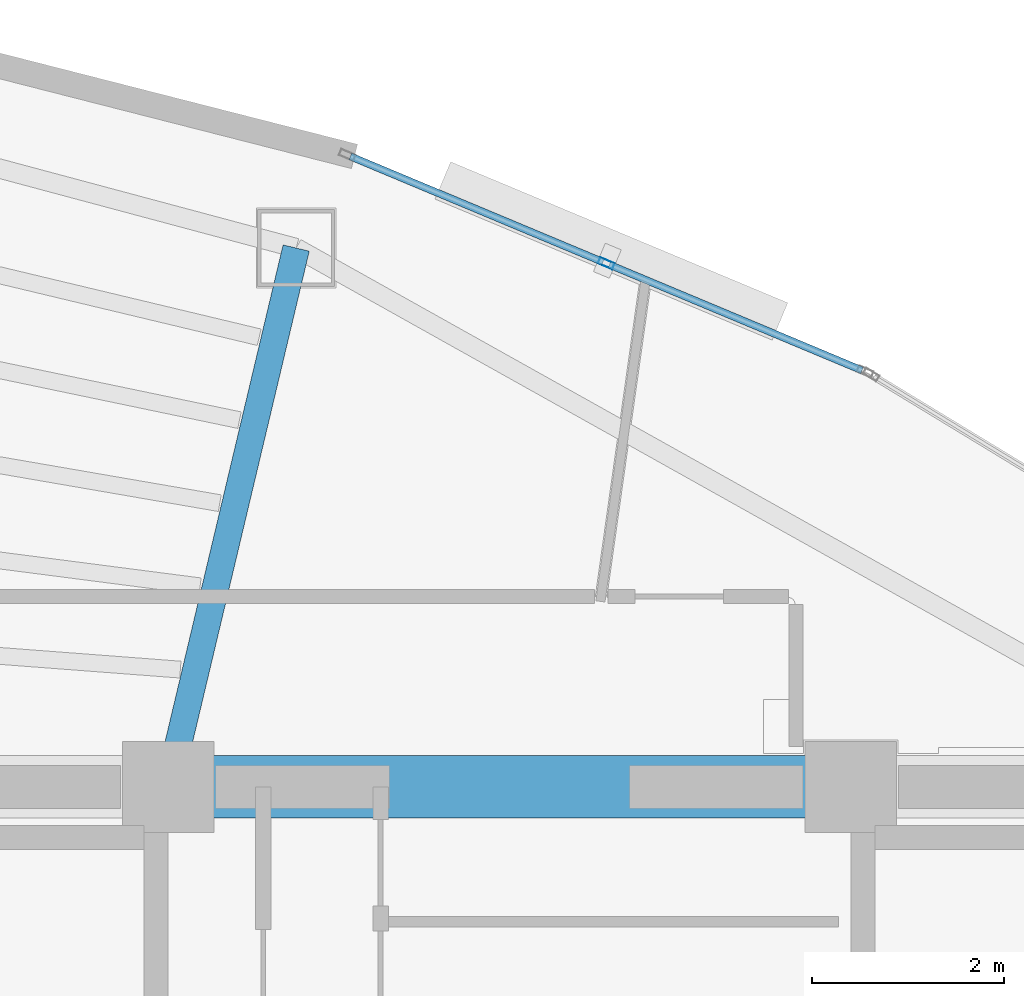
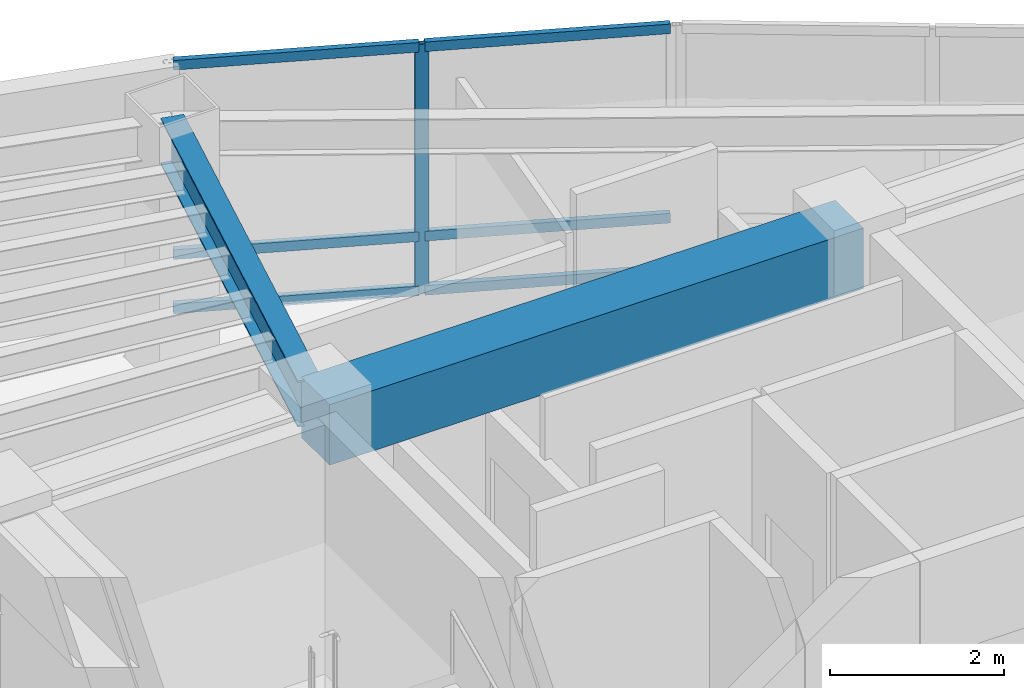
# One storey, part 8 of 16: 7 members, 2 beams, 1 element without a shape of its own.
"""IFC4 building model written with IfcOpenShell, lengths in metres."""

from ifc_helpers import new_model, si_unit, direction, frame, origin, origin_2d, place, context, subcontext, project, spatial, rectangle, hollow_rectangle, i_section, extrude, material, layer, layer_set, material_profile, profile_set, type_object, element, aggregate, save


model = new_model("IFC4")

# Units and contexts
model_context = context("Model", 3, precision=1e-05, world=origin(), true_north=direction((0.0, 1.0)))
body_context = subcontext(model_context, "Body", "Model", "MODEL_VIEW")
ifc_project = project(units=[si_unit("LENGTHUNIT", "METRE"), si_unit("AREAUNIT", "SQUARE_METRE"), si_unit("VOLUMEUNIT", "CUBIC_METRE"), si_unit("PLANEANGLEUNIT", "RADIAN"), si_unit("MASSUNIT", "GRAM", prefix="KILO")], contexts=[model_context])

# Site, building, storey
site_placement = place(None, origin())
site = spatial("IfcSite", under=ifc_project, at=site_placement, CompositionType="ELEMENT")
building_placement = place(site_placement, origin())
building = spatial("IfcBuilding", under=site, at=building_placement, Name="Menara Vayukalpa", CompositionType="ELEMENT")
storey_placement = place(building_placement, frame((0.0, 0.0, 280.6201171875)))
storey = spatial("IfcBuildingStorey", under=building, at=storey_placement, Name="L71", CompositionType="ELEMENT", Elevation=280.6201171875)

# Beams
ifc_material_1 = material(Name="Concrete C60/75", Category="concrete")
ifc_material_profile_1 = material_profile(ifc_material_1, rectangle(XDim=0.64990234375, YDim=0.85009765625, at=origin_2d()), Name="RC 650x850")
ifc_profile_set_1 = profile_set([ifc_material_profile_1], Name="Concrete C60/75")
beam_type_1 = type_object("IfcBeamType", Name="BM-CB1", PredefinedType="BEAM", material=ifc_profile_set_1)
beam_1_placement = place(storey_placement, frame((22.050048828125, 26.800048828125, 3.074951171875), z_axis=(1.0, 0.0, 0.0), x_axis=(0.0, 1.0, 0.0)))
element("IfcBeam", 1, at=beam_1_placement, inside=storey, type_object=beam_type_1, Name="L71 Core Tie Beam CBR5", PredefinedType="BEAM", context=body_context, shape_type="SweptSolid", body=[
    extrude(rectangle(XDim=0.64990234375, YDim=0.85009765625, at=origin_2d()), origin(), (0.0, 0.0, 1.0), 7.099853515625),
])
ifc_material_2 = material(Name="Steel S355", Category="steel")
ifc_material_profile_2 = material_profile(ifc_material_2, i_section(OverallWidth=0.280029296875, OverallDepth=0.64990234375, WebThickness=0.012939453125, FlangeThickness=0.02197265625, at=origin_2d()), Name="WF 650x280x13x22")
ifc_profile_set_2 = profile_set([ifc_material_profile_2], Name="Steel S355")
beam_type_2 = type_object("IfcBeamType", Name="BM-PG6", PredefinedType="BEAM", material=ifc_profile_set_2)
beam_2_placement = place(storey_placement, frame((22.10791015625, 27.043212890625, 3.1748046875), z_axis=(0.231167310854, 0.972914011818, 0.0), x_axis=(-0.972914011818, 0.231167310854, 0.0)))
element("IfcBeam", 2, at=beam_2_placement, inside=storey, type_object=beam_type_2, Name="L71 Primary Radial Girder RG03", PredefinedType="BEAM", context=body_context, shape_type="SweptSolid", body=[
    extrude(i_section(OverallWidth=0.280029296875, OverallDepth=0.64990234375, WebThickness=0.012939453125, FlangeThickness=0.02197265625, at=origin_2d()), origin(), (0.0, 0.0, 1.0), 5.5107421875),
])

# Curtain wall, members
ifc_material_3 = material(Name="Anodised Terracotta Aluminium Alloy 6063-T6", Category="masonry")
ifc_layer = layer(ifc_material_3, 0.1650390625)
ifc_layer_set = layer_set([ifc_layer], Name="Anodised Terracotta Aluminium Alloy 6063-T6")
curtain_wall_type = type_object("IfcCurtainWallType", Name="CW-CW6", PredefinedType="USERDEFINED", material=ifc_layer_set)
curtain_wall_placement = place(storey_placement, origin())
curtain_wall = element("IfcCurtainWall", 3, at=curtain_wall_placement, inside=storey, type_object=curtain_wall_type, Name="L71 Observation and Executive Curtain Wall CW6 05", ObjectType="UNITISED", PredefinedType="USERDEFINED")
ifc_material_4 = material(Name="Anodised Terracotta Aluminium Alloy 6063-T6", Category="masonry")
ifc_material_profile_3 = material_profile(ifc_material_4, hollow_rectangle(XDim=0.070068359375, YDim=0.1650390625, WallThickness=0.00390625, at=origin_2d()), Name="ALU 70x165x4")
ifc_profile_set_3 = profile_set([ifc_material_profile_3], Name="Anodised Terracotta Aluminium Alloy 6063-T6")
member_type_1 = type_object("IfcMemberType", Name="CWM-CW6", PredefinedType="MULLION", material=ifc_profile_set_3)
member_1_placement = place(storey_placement, frame((26.60595703125, 32.2451171875, 0.0), z_axis=(0.0, 0.0, 1.0), x_axis=(-0.385899911703, -0.922540653927, 0.0)))
member_1 = element("IfcMember", 4, at=member_1_placement, type_object=member_type_1, Name="CW6 mullion 2", PredefinedType="MULLION", context=body_context, shape_type="SweptSolid", body=[
    extrude(hollow_rectangle(XDim=0.070068359375, YDim=0.1650390625, WallThickness=0.00390625, at=origin_2d()), origin(), (0.0, 0.0, 1.0), 3.5),
])
ifc_material_5 = material(Name="Anodised Terracotta Aluminium Alloy 6063-T6", Category="masonry")
ifc_material_profile_4 = material_profile(ifc_material_5, hollow_rectangle(XDim=0.074951171875, YDim=0.135009765625, WallThickness=0.00390625, at=origin_2d()), Name="ALU 75x135x4")
ifc_profile_set_4 = profile_set([ifc_material_profile_4], Name="Anodised Terracotta Aluminium Alloy 6063-T6")
member_type_2 = type_object("IfcMemberType", Name="CWT-CW6", PredefinedType="USERDEFINED", material=ifc_profile_set_4)
member_2_placement = place(storey_placement, frame((29.266357421875, 31.13232421875, 0.037353515625), z_axis=(-0.922528286758, 0.385929475592, 0.0), x_axis=(-0.385929475592, -0.922528286758, 0.0)))
member_2 = element("IfcMember", 5, at=member_2_placement, type_object=member_type_2, Name="CW6 transom 1.1", ObjectType="TRANSOM", PredefinedType="USERDEFINED", context=body_context, shape_type="SweptSolid", body=[
    extrude(hollow_rectangle(XDim=0.074951171875, YDim=0.135009765625, WallThickness=0.00390625, at=origin_2d()), origin(), (0.0, 0.0, 1.0), 2.8486328125),
])
member_3_placement = place(storey_placement, frame((29.266357421875, 31.13232421875, 0.7998046875), z_axis=(-0.922528286758, 0.385929475592, 0.0), x_axis=(-0.385929475592, -0.922528286758, 0.0)))
member_3 = element("IfcMember", 6, at=member_3_placement, type_object=member_type_2, Name="CW6 transom 1.2", ObjectType="TRANSOM", PredefinedType="USERDEFINED", context=body_context, shape_type="SweptSolid", body=[
    extrude(hollow_rectangle(XDim=0.074951171875, YDim=0.135009765625, WallThickness=0.00390625, at=origin_2d()), origin(), (0.0, 0.0, 1.0), 2.8486328125),
])
member_4_placement = place(storey_placement, frame((29.266357421875, 31.13232421875, 3.46240234375), z_axis=(-0.922528286758, 0.385929475592, 0.0), x_axis=(-0.385929475592, -0.922528286758, 0.0)))
member_4 = element("IfcMember", 7, at=member_4_placement, type_object=member_type_2, Name="CW6 transom 1.3", ObjectType="TRANSOM", PredefinedType="USERDEFINED", context=body_context, shape_type="SweptSolid", body=[
    extrude(hollow_rectangle(XDim=0.074951171875, YDim=0.135009765625, WallThickness=0.00390625, at=origin_2d()), origin(), (0.0, 0.0, 1.0), 2.8486328125),
])
member_5_placement = place(storey_placement, frame((26.57373046875, 32.258544921875, 0.037353515625), z_axis=(-0.922541050276, 0.38589896418, 0.0), x_axis=(-0.38589896418, -0.922541050276, 0.0)))
member_5 = element("IfcMember", 8, at=member_5_placement, type_object=member_type_2, Name="CW6 transom 2.1", ObjectType="TRANSOM", PredefinedType="USERDEFINED", context=body_context, shape_type="SweptSolid", body=[
    extrude(hollow_rectangle(XDim=0.074951171875, YDim=0.135009765625, WallThickness=0.00390625, at=origin_2d()), origin(), (0.0, 0.0, 1.0), 2.848876953125),
])
member_6_placement = place(storey_placement, frame((26.57373046875, 32.258544921875, 0.7998046875), z_axis=(-0.922541050276, 0.38589896418, 0.0), x_axis=(-0.38589896418, -0.922541050276, 0.0)))
member_6 = element("IfcMember", 9, at=member_6_placement, type_object=member_type_2, Name="CW6 transom 2.2", ObjectType="TRANSOM", PredefinedType="USERDEFINED", context=body_context, shape_type="SweptSolid", body=[
    extrude(hollow_rectangle(XDim=0.074951171875, YDim=0.135009765625, WallThickness=0.00390625, at=origin_2d()), origin(), (0.0, 0.0, 1.0), 2.848876953125),
])
member_7_placement = place(storey_placement, frame((26.57373046875, 32.258544921875, 3.46240234375), z_axis=(-0.922541050276, 0.38589896418, 0.0), x_axis=(-0.38589896418, -0.922541050276, 0.0)))
member_7 = element("IfcMember", 10, at=member_7_placement, type_object=member_type_2, Name="CW6 transom 2.3", ObjectType="TRANSOM", PredefinedType="USERDEFINED", context=body_context, shape_type="SweptSolid", body=[
    extrude(hollow_rectangle(XDim=0.074951171875, YDim=0.135009765625, WallThickness=0.00390625, at=origin_2d()), origin(), (0.0, 0.0, 1.0), 2.848876953125),
])
aggregate(curtain_wall, [member_1, member_2, member_3, member_4, member_5, member_6, member_7])

save(model, "model.ifc")
